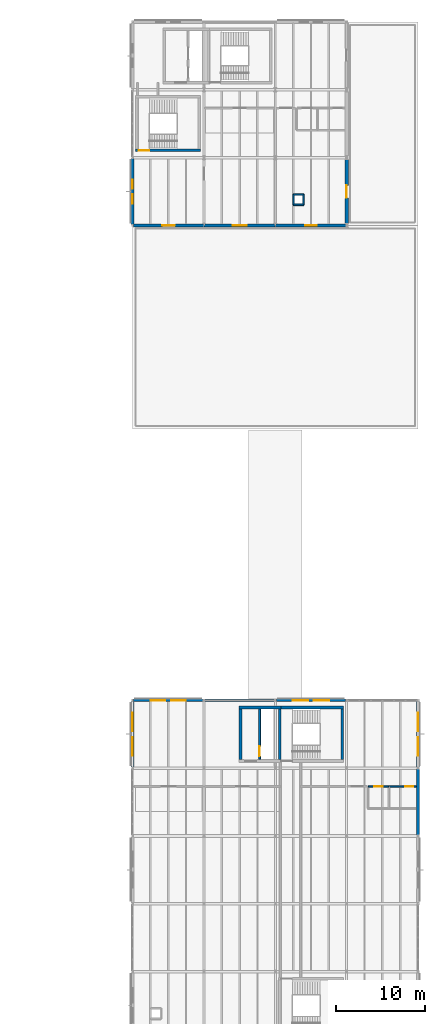
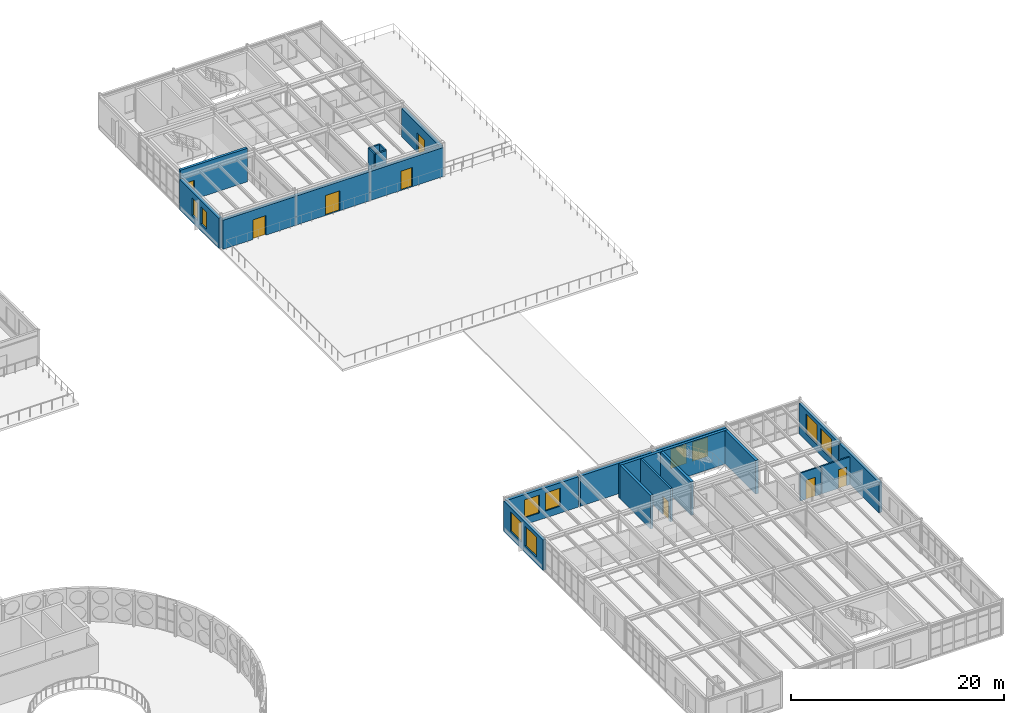
# One storey, part 95 of 114: 24 walls, 10 windows, 8 doors, 18 openings.
"""IFC4 building model written with IfcOpenShell, lengths in metres."""

import ifcopenshell
import ifcopenshell.guid

model = None  # the IFC model being written
_history = None  # IfcOwnerHistory: only IFC2X3 demands one
_inside = {}  # id of a spatial element -> (the spatial element, [elements in it])
_under = {}  # id of a project, library or spatial element -> (it, [spatial elements below it])
_declared = {}  # id of a project -> (the project, [libraries it declares])
_typed = {}  # id of a type object -> (the type object, [elements of that type])
_made_of = {}  # id of a material, layer set ... -> (it, [elements and type objects made of it])


def new_model(schema):
    """Start an empty IFC model of exactly this schema.

    Asked for "IFC4X3", IfcOpenShell would pick the latest addendum, in which some entities
    have other attributes; the version numbers below select the first issue.
    IFC2X3 requires an IfcOwnerHistory on every rooted entity: one is made here for all.
    """
    global model, _history
    if schema == "IFC4X3":
        model = ifcopenshell.file(schema_version=(4, 3, 0, 0))
    else:
        model = ifcopenshell.file(schema=schema)
    _inside.clear()
    _under.clear()
    _declared.clear()
    _typed.clear()
    _made_of.clear()
    _history = None
    if model.schema == "IFC2X3":
        org = make("IfcOrganization", Name="unknown")
        user = make(
            "IfcPersonAndOrganization",
            ThePerson=make("IfcPerson", FamilyName="unknown"),
            TheOrganization=org,
        )
        app = make(
            "IfcApplication",
            ApplicationDeveloper=org,
            Version="unknown",
            ApplicationFullName="unknown",
            ApplicationIdentifier="unknown",
        )
        _history = make(
            "IfcOwnerHistory",
            OwningUser=user,
            OwningApplication=app,
            ChangeAction="ADDED",
            CreationDate=0,
        )
    return model


def make(cls, **values):
    """One entity of the class cls with the attributes given. An attribute that is None is left unset."""
    return model.create_entity(
        cls, **{name: value for name, value in values.items() if value is not None}
    )


def rooted(cls, **values):
    """An entity with a GlobalId (a new one), such as an element, a storey or a relation."""
    return make(cls, GlobalId=ifcopenshell.guid.new(), OwnerHistory=_history, **values)


def si_unit(unit_type, name, prefix=None):
    """IfcSIUnit, for example si_unit("LENGTHUNIT", "METRE", prefix="MILLI")."""
    return make("IfcSIUnit", UnitType=unit_type, Prefix=prefix, Name=name)


def assignment(units):
    """IfcUnitAssignment: the units of a project."""
    return None if units is None else make("IfcUnitAssignment", Units=units)


def point(xyz):
    """IfcCartesianPoint."""
    return None if xyz is None else make("IfcCartesianPoint", Coordinates=xyz)


def direction(xyz):
    """IfcDirection."""
    return None if xyz is None else make("IfcDirection", DirectionRatios=xyz)


def frame(location, z_axis=None, x_axis=None):
    """IfcAxis2Placement3D, a coordinate frame: its origin and axes. An axis left out is left unset."""
    return make(
        "IfcAxis2Placement3D",
        Location=point(location),
        Axis=direction(z_axis),
        RefDirection=direction(x_axis),
    )


def frame_2d(location, x_axis=None):
    """IfcAxis2Placement2D, a coordinate frame in the plane: its origin and x axis."""
    return make(
        "IfcAxis2Placement2D", Location=point(location), RefDirection=direction(x_axis)
    )


def origin():
    """The frame at (0, 0, 0) with its axes left unset."""
    return frame((0.0, 0.0, 0.0))


def place(relative_to, where):
    """IfcLocalPlacement: puts the frame where relative to a parent placement (None: the world)."""
    return make(
        "IfcLocalPlacement", PlacementRelTo=relative_to, RelativePlacement=where
    )


def context(
    kind, dimensions, precision=None, world=None, true_north=None, identifier=None
):
    """IfcGeometricRepresentationContext, for example the 3D "Model" context."""
    return make(
        "IfcGeometricRepresentationContext",
        ContextIdentifier=identifier,
        ContextType=kind,
        CoordinateSpaceDimension=dimensions,
        Precision=precision,
        WorldCoordinateSystem=world,
        TrueNorth=true_north,
    )


def subcontext(parent, identifier, kind, view, scale=None):
    """IfcGeometricRepresentationSubContext, for example "Body" below "Model"."""
    return make(
        "IfcGeometricRepresentationSubContext",
        ContextIdentifier=identifier,
        ContextType=kind,
        ParentContext=parent,
        TargetScale=scale,
        TargetView=view,
    )


def project(units=None, contexts=None):
    """IfcProject with its units and contexts."""
    return rooted(
        "IfcProject",
        Name="project",
        RepresentationContexts=contexts,
        UnitsInContext=assignment(units),
    )


def spatial(cls, under=None, at=None, **own):
    """A site, building, storey or space (cls), placed at a placement, below another one or the project."""
    s = rooted(cls, ObjectPlacement=at, **own)
    if under is not None:
        _under.setdefault(under.id(), (under, []))[1].append(s)
    return s


def profile(cls, at=None, kind="AREA", **sizes):
    """A parametric profile (cls). Its sizes go by their IFC names, for example OverallWidth=200.0."""
    return make(cls, ProfileType=kind, Position=at, **sizes)


def rectangle(**sizes):
    """IfcRectangleProfileDef."""
    return profile("IfcRectangleProfileDef", **sizes)


def extrude(swept, where, along, depth):
    """IfcExtrudedAreaSolid: the profile swept, set in the frame where, extruded along a direction by depth."""
    return make(
        "IfcExtrudedAreaSolid",
        SweptArea=swept,
        Position=where,
        ExtrudedDirection=direction(along),
        Depth=depth,
    )


def shape(context_of_items, identifier, shape_type, items):
    """IfcShapeRepresentation: the items that make up one representation, for example the "Body"."""
    return make(
        "IfcShapeRepresentation",
        ContextOfItems=context_of_items,
        RepresentationIdentifier=identifier,
        RepresentationType=shape_type,
        Items=items,
    )


def material(Name=None, Category=None):
    """IfcMaterial."""
    return make("IfcMaterial", Name=Name, Category=Category)


def layer(
    of_material, thickness, ventilated=None, Name=None, Category=None, Priority=None
):
    """IfcMaterialLayer: one layer of a wall or slab, of a material (None: an air gap)."""
    return make(
        "IfcMaterialLayer",
        Material=of_material,
        LayerThickness=thickness,
        IsVentilated=ventilated,
        Name=Name,
        Category=Category,
        Priority=Priority,
    )


def layer_set(layers, Name=None):
    """IfcMaterialLayerSet."""
    return make("IfcMaterialLayerSet", MaterialLayers=layers, LayerSetName=Name)


def made_of(thing, what):
    """Note that an element or type object is made of a material, layer set ...; save() writes the relation."""
    if what is not None:
        _made_of.setdefault(what.id(), (what, []))[1].append(thing)
    return thing


def type_object(cls, material=None, **own):
    """A type object (cls), such as IfcWallType, which elements share."""
    return made_of(rooted(cls, **own), material)


def element(
    cls,
    number,
    at=None,
    inside=None,
    cuts=None,
    type_object=None,
    material=None,
    context=None,
    identifier="Body",
    shape_type=None,
    held_by="IfcProductDefinitionShape",
    body=None,
    shapes=None,
    **own,
):
    """One element of the class cls, such as IfcWall. Its Tag is "e" and its number.

    at: its placement. inside: the storey or other place that contains it. cuts: it is an
    opening in that element (IfcRelVoidsElement). A single representation is given by context,
    identifier, shape_type and body (its items); several are given by shapes. held_by: the class
    of the entity that holds the representations. save() writes the other relations.
    """
    e = rooted(cls, Tag="e%d" % number, ObjectPlacement=at, **own)
    if body is not None:
        shapes = [shape(context, identifier, shape_type, body)]
    if shapes is not None:
        e.Representation = make(held_by, Representations=shapes)
    if inside is not None:
        _inside.setdefault(inside.id(), (inside, []))[1].append(e)
    if cuts is not None:
        rooted(
            "IfcRelVoidsElement", RelatingBuildingElement=cuts, RelatedOpeningElement=e
        )
    if type_object is not None:
        _typed.setdefault(type_object.id(), (type_object, []))[1].append(e)
    return made_of(e, material)


def fill(opening, filler):
    """IfcRelFillsElement: the door or window that sits in an opening."""
    return rooted(
        "IfcRelFillsElement",
        RelatingOpeningElement=opening,
        RelatedBuildingElement=filler,
    )


def aggregate(whole, parts):
    """IfcRelAggregates: a whole, such as a stair, and the parts it consists of."""
    return rooted("IfcRelAggregates", RelatingObject=whole, RelatedObjects=parts)


def save(model, path):
    """Write the relations noted so far, then the file.

    IfcRelAggregates (storeys below a building ...), IfcRelContainedInSpatialStructure (elements
    in a storey), IfcRelDefinesByType, IfcRelAssociatesMaterial and IfcRelDeclares: one each for
    every whole, place, type object, material and project.
    """
    for whole, parts in _under.values():
        aggregate(whole, parts)
    for where, things in _inside.values():
        rooted(
            "IfcRelContainedInSpatialStructure",
            RelatedElements=things,
            RelatingStructure=where,
        )
    for kind, things in _typed.values():
        rooted("IfcRelDefinesByType", RelatedObjects=things, RelatingType=kind)
    for what, things in _made_of.values():
        rooted("IfcRelAssociatesMaterial", RelatedObjects=things, RelatingMaterial=what)
    for by, libraries in _declared.values():
        rooted("IfcRelDeclares", RelatingContext=by, RelatedDefinitions=libraries)
    model.write(path)


model = new_model("IFC4")

# Units and contexts
model_context = context("Model", 3, precision=1e-05, world=origin(), true_north=direction((0.0, 1.0)))
body_context = subcontext(model_context, "Body", "Model", "MODEL_VIEW")
ifc_project = project(units=[si_unit("LENGTHUNIT", "METRE"), si_unit("AREAUNIT", "SQUARE_METRE"), si_unit("VOLUMEUNIT", "CUBIC_METRE"), si_unit("PLANEANGLEUNIT", "RADIAN"), si_unit("MASSUNIT", "GRAM", prefix="KILO")], contexts=[model_context])

# Site, building, storey
site_placement = place(None, origin())
site = spatial("IfcSite", under=ifc_project, at=site_placement, CompositionType="ELEMENT")
building_placement = place(site_placement, origin())
building = spatial("IfcBuilding", under=site, at=building_placement, Name="Montecoro Central Library", CompositionType="ELEMENT")
storey_placement = place(building_placement, frame((0.0, 0.0, 13.260009765625)))
storey = spatial("IfcBuildingStorey", under=building, at=storey_placement, Name="L03", CompositionType="ELEMENT", Elevation=13.260009765625)

# Wall, opening, door
ifc_material_1 = material(Name="Roman travertine stone clad concrete C35/45", Category="masonry")
ifc_layer_1 = layer(ifc_material_1, 0.364990234375)
ifc_layer_set_1 = layer_set([ifc_layer_1], Name="Roman travertine stone clad concrete C35/45")
wall_type_1 = type_object("IfcWallType", Name="EW-STK-365", PredefinedType="SOLIDWALL", material=ifc_layer_set_1)
wall_1_placement = place(storey_placement, frame((141.113037109375, 96.199951171875, 0.0), z_axis=(0.0, 0.0, 1.0), x_axis=(1.0, 0.0, 0.0)))
wall_1 = element("IfcWall", 1, at=wall_1_placement, inside=storey, type_object=wall_type_1, Name="V5-L03-EW-S0", PredefinedType="SOLIDWALL", context=body_context, shape_type="SweptSolid", body=[
    extrude(rectangle(XDim=7.880859375, YDim=0.364990234375, at=frame_2d((3.9404296875, 0.0))), origin(), (0.0, 0.0, 1.0), 3.330078125),
])
opening_1_placement = place(wall_1_placement, frame((3.239990234375, 0.0, 0.0)))
opening_1 = element("IfcOpeningElement", 2, at=opening_1_placement, cuts=wall_1, Name="Opening ED-07", PredefinedType="OPENING", context=body_context, shape_type="SweptSolid", body=[
    extrude(rectangle(XDim=1.39990234375, YDim=2.25, at=frame_2d((0.699951171875, 1.125))), frame((0.0, 0.1923828125, 0.0), z_axis=(0.0, -1.0, 0.0), x_axis=(1.0, 0.0, 0.0)), (0.0, 0.0, 1.0), 0.385009765625),
])
ifc_material_2 = material(Name="Thermally broken architectural bronze and safety glass", Category="glass")
door_type_1 = type_object("IfcDoorType", Name="ED-TER-140", OperationType="NOTDEFINED", PredefinedType="DOOR", material=ifc_material_2)
door_1_placement = place(opening_1_placement, origin())
door_1 = element("IfcDoor", 3, at=door_1_placement, inside=storey, type_object=door_type_1, Name="V5-L03-TD-S0", OperationType="SINGLE_SWING_RIGHT", OverallHeight=2.25, OverallWidth=1.39990234375, PredefinedType="DOOR", context=body_context, shape_type="SweptSolid", body=[
    extrude(rectangle(XDim=1.39990234375, YDim=2.25, at=frame_2d((0.699951171875, 1.125))), frame((0.0, 0.02490234375, 0.0), z_axis=(0.0, -1.0, 0.0), x_axis=(1.0, 0.0, 0.0)), (0.0, 0.0, 1.0), 0.050048828125),
])
fill(opening_1, door_1)

wall_2_placement = place(storey_placement, frame((149.006103515625, 96.199951171875, 0.0), z_axis=(0.0, 0.0, 1.0), x_axis=(1.0, 0.0, 0.0)))
wall_2 = element("IfcWall", 4, at=wall_2_placement, inside=storey, type_object=wall_type_1, Name="V5-L03-EW-S1", PredefinedType="SOLIDWALL", context=body_context, shape_type="SweptSolid", body=[
    extrude(rectangle(XDim=7.98779296875, YDim=0.364990234375, at=frame_2d((3.993896484375, 0.0))), origin(), (0.0, 0.0, 1.0), 3.330078125),
])
opening_2_placement = place(wall_2_placement, frame((3.218994140625, 0.0, 0.0)))
opening_2 = element("IfcOpeningElement", 5, at=opening_2_placement, cuts=wall_2, Name="Opening ED-08", PredefinedType="OPENING", context=body_context, shape_type="SweptSolid", body=[
    extrude(rectangle(XDim=1.550048828125, YDim=2.280029296875, at=frame_2d((0.77490234375, 1.14013671875))), frame((0.0, 0.1923828125, 0.0), z_axis=(0.0, -1.0, 0.0), x_axis=(1.0, 0.0, 0.0)), (0.0, 0.0, 1.0), 0.385009765625),
])
door_type_2 = type_object("IfcDoorType", Name="ED-TER-155", OperationType="NOTDEFINED", PredefinedType="DOOR", material=ifc_material_2)
door_2_placement = place(opening_2_placement, origin())
door_2 = element("IfcDoor", 6, at=door_2_placement, inside=storey, type_object=door_type_2, Name="V5-L03-TD-S1", OperationType="SINGLE_SWING_LEFT", OverallHeight=2.280029296875, OverallWidth=1.550048828125, PredefinedType="DOOR", context=body_context, shape_type="SweptSolid", body=[
    extrude(rectangle(XDim=1.550048828125, YDim=2.280029296875, at=frame_2d((0.77490234375, 1.14013671875))), frame((0.0, 0.02490234375, 0.0), z_axis=(0.0, -1.0, 0.0), x_axis=(1.0, 0.0, 0.0)), (0.0, 0.0, 1.0), 0.050048828125),
])
fill(opening_2, door_2)

wall_3_placement = place(storey_placement, frame((157.006103515625, 96.199951171875, 0.0), z_axis=(0.0, 0.0, 1.0), x_axis=(1.0, 0.0, 0.0)))
wall_3 = element("IfcWall", 7, at=wall_3_placement, inside=storey, type_object=wall_type_1, Name="V5-L03-EW-S2", PredefinedType="SOLIDWALL", context=body_context, shape_type="SweptSolid", body=[
    extrude(rectangle(XDim=7.98779296875, YDim=0.364990234375, at=frame_2d((3.993896484375, 0.0))), origin(), (0.0, 0.0, 1.0), 3.330078125),
])
opening_3_placement = place(wall_3_placement, frame((3.368896484375, 0.0, 0.0)))
opening_3 = element("IfcOpeningElement", 8, at=opening_3_placement, cuts=wall_3, Name="Opening ED-09", PredefinedType="OPENING", context=body_context, shape_type="SweptSolid", body=[
    extrude(rectangle(XDim=1.25, YDim=2.199951171875, at=frame_2d((0.625, 1.10009765625))), frame((0.0, 0.1923828125, 0.0), z_axis=(0.0, -1.0, 0.0), x_axis=(1.0, 0.0, 0.0)), (0.0, 0.0, 1.0), 0.385009765625),
])
door_type_3 = type_object("IfcDoorType", Name="ED-TER-125", OperationType="NOTDEFINED", PredefinedType="DOOR", material=ifc_material_2)
door_3_placement = place(opening_3_placement, origin())
door_3 = element("IfcDoor", 9, at=door_3_placement, inside=storey, type_object=door_type_3, Name="V5-L03-TD-S2", OperationType="SINGLE_SWING_RIGHT", OverallHeight=2.199951171875, OverallWidth=1.25, PredefinedType="DOOR", context=body_context, shape_type="SweptSolid", body=[
    extrude(rectangle(XDim=1.25, YDim=2.199951171875, at=frame_2d((0.625, 1.10009765625))), frame((0.0, 0.02490234375, 0.0), z_axis=(0.0, -1.0, 0.0), x_axis=(1.0, 0.0, 0.0)), (0.0, 0.0, 1.0), 0.050048828125),
])
fill(opening_3, door_3)

wall_4_placement = place(storey_placement, frame((165.0, 96.423095703125, 0.0), z_axis=(0.0, 0.0, 1.0), x_axis=(0.0, 1.0, 0.0)))
wall_4 = element("IfcWall", 10, at=wall_4_placement, inside=storey, type_object=wall_type_1, Name="V5-L03-EW-E0", PredefinedType="SOLIDWALL", context=body_context, shape_type="SweptSolid", body=[
    extrude(rectangle(XDim=7.15380859375, YDim=0.364990234375, at=frame_2d((3.576904296875, 0.0))), origin(), (0.0, 0.0, 1.0), 3.27001953125),
])
opening_4_placement = place(wall_4_placement, frame((2.876953125, 0.0, 0.0)))
opening_4 = element("IfcOpeningElement", 11, at=opening_4_placement, cuts=wall_4, Name="Opening ED-07", PredefinedType="OPENING", context=body_context, shape_type="SweptSolid", body=[
    extrude(rectangle(XDim=1.39990234375, YDim=2.25, at=frame_2d((0.699951171875, 1.125))), frame((0.0, 0.1923828125, 0.0), z_axis=(0.0, -1.0, 0.0), x_axis=(1.0, 0.0, 0.0)), (0.0, 0.0, 1.0), 0.385009765625),
])
door_4_placement = place(opening_4_placement, origin())
door_4 = element("IfcDoor", 12, at=door_4_placement, inside=storey, type_object=door_type_1, Name="V5-L03-TD-E0", OperationType="SINGLE_SWING_LEFT", OverallHeight=2.25, OverallWidth=1.39990234375, PredefinedType="DOOR", context=body_context, shape_type="SweptSolid", body=[
    extrude(rectangle(XDim=1.39990234375, YDim=2.25, at=frame_2d((0.699951171875, 1.125))), frame((0.0, 0.02490234375, 0.0), z_axis=(0.0, -1.0, 0.0), x_axis=(1.0, 0.0, 0.0)), (0.0, 0.0, 1.0), 0.050048828125),
])
fill(opening_4, door_4)

# Wall, openings, windows
wall_5_placement = place(storey_placement, frame((141.0, 103.68701171875, 0.0), z_axis=(0.0, 0.0, 1.0), x_axis=(0.0, -1.0, 0.0)))
wall_5 = element("IfcWall", 13, at=wall_5_placement, inside=storey, type_object=wall_type_1, Name="V5-L03-EW-W0", PredefinedType="SOLIDWALL", context=body_context, shape_type="SweptSolid", body=[
    extrude(rectangle(XDim=7.3740234375, YDim=0.364990234375, at=frame_2d((3.68701171875, 0.0))), origin(), (0.0, 0.0, 1.0), 3.47998046875),
])
opening_5_placement = place(wall_5_placement, frame((2.342041015625, 0.0, 0.800048828125)))
opening_5 = element("IfcOpeningElement", 14, at=opening_5_placement, cuts=wall_5, Name="Opening WN-30", PredefinedType="OPENING", context=body_context, shape_type="SweptSolid", body=[
    extrude(rectangle(XDim=1.02001953125, YDim=1.97998046875, at=frame_2d((0.510009765625, 0.989990234375))), frame((0.0, 0.1923828125, 0.0), z_axis=(0.0, -1.0, 0.0), x_axis=(1.0, 0.0, 0.0)), (0.0, 0.0, 1.0), 0.385009765625),
])
opening_6_placement = place(wall_5_placement, frame((4.011962890625, 0.0, 0.800048828125)))
opening_6 = element("IfcOpeningElement", 15, at=opening_6_placement, cuts=wall_5, Name="Opening WN-30", PredefinedType="OPENING", context=body_context, shape_type="SweptSolid", body=[
    extrude(rectangle(XDim=1.02001953125, YDim=1.97998046875, at=frame_2d((0.510009765625, 0.989990234375))), frame((0.0, 0.1923828125, 0.0), z_axis=(0.0, -1.0, 0.0), x_axis=(1.0, 0.0, 0.0)), (0.0, 0.0, 1.0), 0.385009765625),
])
ifc_material_3 = material(Name="UV-filtered triple glazing", Category="glass")
window_type_1 = type_object("IfcWindowType", Name="WN-STK-102", PartitioningType="SINGLE_PANEL", PredefinedType="WINDOW", material=ifc_material_3)
window_1_placement = place(opening_5_placement, origin())
window_1 = element("IfcWindow", 16, at=window_1_placement, inside=storey, type_object=window_type_1, Name="V5-L03-WN-W0-1", OverallHeight=1.97998046875, OverallWidth=1.02001953125, PartitioningType="SINGLE_PANEL", PredefinedType="WINDOW", context=body_context, shape_type="SweptSolid", body=[
    extrude(rectangle(XDim=1.02001953125, YDim=1.97998046875, at=frame_2d((0.510009765625, 0.989990234375))), frame((0.0, 0.030029296875, 0.0), z_axis=(0.0, -1.0, 0.0), x_axis=(1.0, 0.0, 0.0)), (0.0, 0.0, 1.0), 0.06005859375),
])
fill(opening_5, window_1)
window_2_placement = place(opening_6_placement, origin())
window_2 = element("IfcWindow", 17, at=window_2_placement, inside=storey, type_object=window_type_1, Name="V5-L03-WN-W0-2", OverallHeight=1.97998046875, OverallWidth=1.02001953125, PartitioningType="SINGLE_PANEL", PredefinedType="WINDOW", context=body_context, shape_type="SweptSolid", body=[
    extrude(rectangle(XDim=1.02001953125, YDim=1.97998046875, at=frame_2d((0.510009765625, 0.989990234375))), frame((0.0, 0.030029296875, 0.0), z_axis=(0.0, -1.0, 0.0), x_axis=(1.0, 0.0, 0.0)), (0.0, 0.0, 1.0), 0.06005859375),
])
fill(opening_6, window_2)

# Wall
ifc_layer_2 = layer(ifc_material_1, 0.324951171875)
ifc_layer_set_2 = layer_set([ifc_layer_2], Name="Roman travertine stone clad concrete C35/45")
wall_type_2 = type_object("IfcWallType", Name="EW-TRV-325", PredefinedType="SOLIDWALL", material=ifc_layer_set_2)
wall_6_placement = place(storey_placement, frame((173.0, 27.9130859375, 0.0), z_axis=(0.0, 0.0, 1.0), x_axis=(0.0, 1.0, 0.0)))
element("IfcWall", 18, at=wall_6_placement, inside=storey, type_object=wall_type_2, Name="V6-L03-EW-E3", PredefinedType="SOLIDWALL", context=body_context, shape_type="SweptSolid", body=[
    extrude(rectangle(XDim=7.3740234375, YDim=0.324951171875, at=frame_2d((3.68701171875, 0.0))), origin(), (0.0, 0.0, 1.0), 3.47998046875),
])

# Wall, openings, windows
wall_7_placement = place(storey_placement, frame((173.0, 35.512939453125, 0.0), z_axis=(0.0, 0.0, 1.0), x_axis=(0.0, 1.0, 0.0)))
wall_7 = element("IfcWall", 19, at=wall_7_placement, inside=storey, type_object=wall_type_2, Name="V6-L03-EW-E4", PredefinedType="SOLIDWALL", context=body_context, shape_type="SweptSolid", body=[
    extrude(rectangle(XDim=7.3740234375, YDim=0.324951171875, at=frame_2d((3.68701171875, 0.0))), origin(), (0.0, 0.0, 1.0), 3.47998046875),
])
opening_7_placement = place(wall_7_placement, frame((1.261962890625, 0.0, 0.800048828125)))
opening_7 = element("IfcOpeningElement", 20, at=opening_7_placement, cuts=wall_7, Name="Opening WN-19", PredefinedType="OPENING", context=body_context, shape_type="SweptSolid", body=[
    extrude(rectangle(XDim=2.10009765625, YDim=2.25, at=frame_2d((1.050048828125, 1.125))), frame((0.0, 0.17236328125, 0.0), z_axis=(0.0, -1.0, 0.0), x_axis=(1.0, 0.0, 0.0)), (0.0, 0.0, 1.0), 0.344970703125),
])
opening_8_placement = place(wall_7_placement, frame((4.011962890625, 0.0, 0.800048828125)))
opening_8 = element("IfcOpeningElement", 21, at=opening_8_placement, cuts=wall_7, Name="Opening WN-19", PredefinedType="OPENING", context=body_context, shape_type="SweptSolid", body=[
    extrude(rectangle(XDim=2.10009765625, YDim=2.25, at=frame_2d((1.050048828125, 1.125))), frame((0.0, 0.17236328125, 0.0), z_axis=(0.0, -1.0, 0.0), x_axis=(1.0, 0.0, 0.0)), (0.0, 0.0, 1.0), 0.344970703125),
])
ifc_material_4 = material(Name="Laminated low-E double glazing", Category="glass")
window_type_2 = type_object("IfcWindowType", Name="WN-COM-210", PartitioningType="SINGLE_PANEL", PredefinedType="WINDOW", material=ifc_material_4)
window_3_placement = place(opening_7_placement, origin())
window_3 = element("IfcWindow", 22, at=window_3_placement, inside=storey, type_object=window_type_2, Name="V6-L03-WN-E4-1", OverallHeight=2.25, OverallWidth=2.10009765625, PartitioningType="SINGLE_PANEL", PredefinedType="WINDOW", context=body_context, shape_type="SweptSolid", body=[
    extrude(rectangle(XDim=2.10009765625, YDim=2.25, at=frame_2d((1.050048828125, 1.125))), frame((0.0, 0.030029296875, 0.0), z_axis=(0.0, -1.0, 0.0), x_axis=(1.0, 0.0, 0.0)), (0.0, 0.0, 1.0), 0.06005859375),
])
fill(opening_7, window_3)
window_4_placement = place(opening_8_placement, origin())
window_4 = element("IfcWindow", 23, at=window_4_placement, inside=storey, type_object=window_type_2, Name="V6-L03-WN-E4-2", OverallHeight=2.25, OverallWidth=2.10009765625, PartitioningType="SINGLE_PANEL", PredefinedType="WINDOW", context=body_context, shape_type="SweptSolid", body=[
    extrude(rectangle(XDim=2.10009765625, YDim=2.25, at=frame_2d((1.050048828125, 1.125))), frame((0.0, 0.030029296875, 0.0), z_axis=(0.0, -1.0, 0.0), x_axis=(1.0, 0.0, 0.0)), (0.0, 0.0, 1.0), 0.06005859375),
])
fill(opening_8, window_4)

wall_8_placement = place(storey_placement, frame((164.886962890625, 43.0, 0.0), z_axis=(0.0, 0.0, 1.0), x_axis=(-1.0, 0.0, 0.0)))
wall_8 = element("IfcWall", 24, at=wall_8_placement, inside=storey, type_object=wall_type_2, Name="V6-L03-EW-N2", PredefinedType="SOLIDWALL", context=body_context, shape_type="SweptSolid", body=[
    extrude(rectangle(XDim=7.77392578125, YDim=0.324951171875, at=frame_2d((3.886962890625, 0.0))), origin(), (0.0, 0.0, 1.0), 3.47998046875),
])
opening_9_placement = place(wall_8_placement, frame((1.862060546875, 0.0, 0.800048828125)))
opening_9 = element("IfcOpeningElement", 25, at=opening_9_placement, cuts=wall_8, Name="Opening WN-17", PredefinedType="OPENING", context=body_context, shape_type="SweptSolid", body=[
    extrude(rectangle(XDim=1.699951171875, YDim=2.199951171875, at=frame_2d((0.85009765625, 1.10009765625))), frame((0.0, 0.17236328125, 0.0), z_axis=(0.0, -1.0, 0.0), x_axis=(1.0, 0.0, 0.0)), (0.0, 0.0, 1.0), 0.344970703125),
])
opening_10_placement = place(wall_8_placement, frame((4.2119140625, 0.0, 0.800048828125)))
opening_10 = element("IfcOpeningElement", 26, at=opening_10_placement, cuts=wall_8, Name="Opening WN-17", PredefinedType="OPENING", context=body_context, shape_type="SweptSolid", body=[
    extrude(rectangle(XDim=1.699951171875, YDim=2.199951171875, at=frame_2d((0.85009765625, 1.10009765625))), frame((0.0, 0.17236328125, 0.0), z_axis=(0.0, -1.0, 0.0), x_axis=(1.0, 0.0, 0.0)), (0.0, 0.0, 1.0), 0.344970703125),
])
window_type_3 = type_object("IfcWindowType", Name="WN-COM-170", PartitioningType="SINGLE_PANEL", PredefinedType="WINDOW", material=ifc_material_4)
window_5_placement = place(opening_9_placement, origin())
window_5 = element("IfcWindow", 27, at=window_5_placement, inside=storey, type_object=window_type_3, Name="V6-L03-WN-N2-1", OverallHeight=2.199951171875, OverallWidth=1.699951171875, PartitioningType="SINGLE_PANEL", PredefinedType="WINDOW", context=body_context, shape_type="SweptSolid", body=[
    extrude(rectangle(XDim=1.699951171875, YDim=2.199951171875, at=frame_2d((0.85009765625, 1.10009765625))), frame((0.0, 0.030029296875, 0.0), z_axis=(0.0, -1.0, 0.0), x_axis=(1.0, 0.0, 0.0)), (0.0, 0.0, 1.0), 0.06005859375),
])
fill(opening_9, window_5)
window_6_placement = place(opening_10_placement, origin())
window_6 = element("IfcWindow", 28, at=window_6_placement, inside=storey, type_object=window_type_3, Name="V6-L03-WN-N2-2", OverallHeight=2.199951171875, OverallWidth=1.699951171875, PartitioningType="SINGLE_PANEL", PredefinedType="WINDOW", context=body_context, shape_type="SweptSolid", body=[
    extrude(rectangle(XDim=1.699951171875, YDim=2.199951171875, at=frame_2d((0.85009765625, 1.10009765625))), frame((0.0, 0.030029296875, 0.0), z_axis=(0.0, -1.0, 0.0), x_axis=(1.0, 0.0, 0.0)), (0.0, 0.0, 1.0), 0.06005859375),
])
fill(opening_10, window_6)

# Wall
wall_9_placement = place(storey_placement, frame((156.886962890625, 43.0, 0.0), z_axis=(0.0, 0.0, 1.0), x_axis=(-1.0, 0.0, 0.0)))
element("IfcWall", 29, at=wall_9_placement, inside=storey, type_object=wall_type_2, Name="V6-L03-EW-N1", PredefinedType="SOLIDWALL", context=body_context, shape_type="SweptSolid", body=[
    extrude(rectangle(XDim=7.77392578125, YDim=0.324951171875, at=frame_2d((3.886962890625, 0.0))), origin(), (0.0, 0.0, 1.0), 3.47998046875),
])

# Wall, openings, windows
wall_10_placement = place(storey_placement, frame((148.886962890625, 43.0, 0.0), z_axis=(0.0, 0.0, 1.0), x_axis=(-1.0, 0.0, 0.0)))
wall_10 = element("IfcWall", 30, at=wall_10_placement, inside=storey, type_object=wall_type_2, Name="V6-L03-EW-N0", PredefinedType="SOLIDWALL", context=body_context, shape_type="SweptSolid", body=[
    extrude(rectangle(XDim=7.77392578125, YDim=0.324951171875, at=frame_2d((3.886962890625, 0.0))), origin(), (0.0, 0.0, 1.0), 3.47998046875),
])
opening_11_placement = place(wall_10_placement, frame((1.94189453125, 0.0, 0.800048828125)))
opening_11 = element("IfcOpeningElement", 31, at=opening_11_placement, cuts=wall_10, Name="Opening WN-27", PredefinedType="OPENING", context=body_context, shape_type="SweptSolid", body=[
    extrude(rectangle(XDim=1.6201171875, YDim=2.06005859375, at=frame_2d((0.81005859375, 1.030029296875))), frame((0.0, 0.17236328125, 0.0), z_axis=(0.0, -1.0, 0.0), x_axis=(1.0, 0.0, 0.0)), (0.0, 0.0, 1.0), 0.344970703125),
])
opening_12_placement = place(wall_10_placement, frame((4.2119140625, 0.0, 0.800048828125)))
opening_12 = element("IfcOpeningElement", 32, at=opening_12_placement, cuts=wall_10, Name="Opening WN-27", PredefinedType="OPENING", context=body_context, shape_type="SweptSolid", body=[
    extrude(rectangle(XDim=1.6201171875, YDim=2.06005859375, at=frame_2d((0.81005859375, 1.030029296875))), frame((0.0, 0.17236328125, 0.0), z_axis=(0.0, -1.0, 0.0), x_axis=(1.0, 0.0, 0.0)), (0.0, 0.0, 1.0), 0.344970703125),
])
window_type_4 = type_object("IfcWindowType", Name="WN-COM-162", PartitioningType="SINGLE_PANEL", PredefinedType="WINDOW", material=ifc_material_4)
window_7_placement = place(opening_11_placement, origin())
window_7 = element("IfcWindow", 33, at=window_7_placement, inside=storey, type_object=window_type_4, Name="V6-L03-WN-N0-1", OverallHeight=2.06005859375, OverallWidth=1.6201171875, PartitioningType="SINGLE_PANEL", PredefinedType="WINDOW", context=body_context, shape_type="SweptSolid", body=[
    extrude(rectangle(XDim=1.6201171875, YDim=2.06005859375, at=frame_2d((0.81005859375, 1.030029296875))), frame((0.0, 0.030029296875, 0.0), z_axis=(0.0, -1.0, 0.0), x_axis=(1.0, 0.0, 0.0)), (0.0, 0.0, 1.0), 0.06005859375),
])
fill(opening_11, window_7)
window_8_placement = place(opening_12_placement, origin())
window_8 = element("IfcWindow", 34, at=window_8_placement, inside=storey, type_object=window_type_4, Name="V6-L03-WN-N0-2", OverallHeight=2.06005859375, OverallWidth=1.6201171875, PartitioningType="SINGLE_PANEL", PredefinedType="WINDOW", context=body_context, shape_type="SweptSolid", body=[
    extrude(rectangle(XDim=1.6201171875, YDim=2.06005859375, at=frame_2d((0.81005859375, 1.030029296875))), frame((0.0, 0.030029296875, 0.0), z_axis=(0.0, -1.0, 0.0), x_axis=(1.0, 0.0, 0.0)), (0.0, 0.0, 1.0), 0.06005859375),
])
fill(opening_12, window_8)

wall_11_placement = place(storey_placement, frame((141.0, 42.886962890625, 0.0), z_axis=(0.0, 0.0, 1.0), x_axis=(0.0, -1.0, 0.0)))
wall_11 = element("IfcWall", 35, at=wall_11_placement, inside=storey, type_object=wall_type_2, Name="V6-L03-EW-W4", PredefinedType="SOLIDWALL", context=body_context, shape_type="SweptSolid", body=[
    extrude(rectangle(XDim=7.3740234375, YDim=0.324951171875, at=frame_2d((3.68701171875, 0.0))), origin(), (0.0, 0.0, 1.0), 3.47998046875),
])
opening_13_placement = place(wall_11_placement, frame((1.261962890625, 0.0, 0.800048828125)))
opening_13 = element("IfcOpeningElement", 36, at=opening_13_placement, cuts=wall_11, Name="Opening WN-19", PredefinedType="OPENING", context=body_context, shape_type="SweptSolid", body=[
    extrude(rectangle(XDim=2.10009765625, YDim=2.25, at=frame_2d((1.050048828125, 1.125))), frame((0.0, 0.17236328125, 0.0), z_axis=(0.0, -1.0, 0.0), x_axis=(1.0, 0.0, 0.0)), (0.0, 0.0, 1.0), 0.344970703125),
])
opening_14_placement = place(wall_11_placement, frame((4.011962890625, 0.0, 0.800048828125)))
opening_14 = element("IfcOpeningElement", 37, at=opening_14_placement, cuts=wall_11, Name="Opening WN-19", PredefinedType="OPENING", context=body_context, shape_type="SweptSolid", body=[
    extrude(rectangle(XDim=2.10009765625, YDim=2.25, at=frame_2d((1.050048828125, 1.125))), frame((0.0, 0.17236328125, 0.0), z_axis=(0.0, -1.0, 0.0), x_axis=(1.0, 0.0, 0.0)), (0.0, 0.0, 1.0), 0.344970703125),
])
window_9_placement = place(opening_13_placement, origin())
window_9 = element("IfcWindow", 38, at=window_9_placement, inside=storey, type_object=window_type_2, Name="V6-L03-WN-W4-1", OverallHeight=2.25, OverallWidth=2.10009765625, PartitioningType="SINGLE_PANEL", PredefinedType="WINDOW", context=body_context, shape_type="SweptSolid", body=[
    extrude(rectangle(XDim=2.10009765625, YDim=2.25, at=frame_2d((1.050048828125, 1.125))), frame((0.0, 0.030029296875, 0.0), z_axis=(0.0, -1.0, 0.0), x_axis=(1.0, 0.0, 0.0)), (0.0, 0.0, 1.0), 0.06005859375),
])
fill(opening_13, window_9)
window_10_placement = place(opening_14_placement, origin())
window_10 = element("IfcWindow", 39, at=window_10_placement, inside=storey, type_object=window_type_2, Name="V6-L03-WN-W4-2", OverallHeight=2.25, OverallWidth=2.10009765625, PartitioningType="SINGLE_PANEL", PredefinedType="WINDOW", context=body_context, shape_type="SweptSolid", body=[
    extrude(rectangle(XDim=2.10009765625, YDim=2.25, at=frame_2d((1.050048828125, 1.125))), frame((0.0, 0.030029296875, 0.0), z_axis=(0.0, -1.0, 0.0), x_axis=(1.0, 0.0, 0.0)), (0.0, 0.0, 1.0), 0.06005859375),
])
fill(opening_14, window_10)

# Walls
ifc_material_5 = material(Name="Gypsum fire-rated partition")
ifc_layer_3 = layer(ifc_material_5, 0.179931640625)
ifc_layer_set_3 = layer_set([ifc_layer_3], Name="Gypsum fire-rated partition")
wall_type_3 = type_object("IfcWallType", Name="IW-COR-180", PredefinedType="PARTITIONING", material=ifc_layer_set_3)
for number, where, z_axis, x_axis, name in (
    (40, (159.02001953125, 98.52001953125, 0.0), (0.0, 0.0, 1.0), (1.0, 0.0, 0.0), "RSR-V5-L03-SL3-S"),
    (41, (160.179931640625, 99.679931640625, 0.0), (0.0, 0.0, 1.0), (-1.0, 0.0, 0.0), "RSR-V5-L03-SL3-N"),
    (42, (159.02001953125, 99.679931640625, 0.0), (0.0, 0.0, 1.0), (0.0, -1.0, 0.0), "RSR-V5-L03-SL3-W"),
    (43, (160.179931640625, 98.52001953125, 0.0), (0.0, 0.0, 1.0), (0.0, 1.0, 0.0), "RSR-V5-L03-SL3-E"),
):
    element("IfcWall", number, at=place(storey_placement, frame(where, z_axis=z_axis, x_axis=x_axis)), inside=storey, type_object=wall_type_3, Name=name, PredefinedType="PARTITIONING", context=body_context, shape_type="SweptSolid", body=[
        extrude(rectangle(XDim=1.159912109375, YDim=0.179931640625, at=frame_2d((0.580078125, 0.0))), origin(), (0.0, 0.0, 1.0), 3.179931640625),
    ])

# Wall, opening, door
ifc_material_6 = material(Name="Concrete C32/40", Category="concrete")
ifc_layer_4 = layer(ifc_material_6, 0.219970703125)
ifc_layer_set_4 = layer_set([ifc_layer_4], Name="Concrete C32/40")
wall_type_4 = type_object("IfcWallType", Name="IW-FFL-220", PredefinedType="SOLIDWALL", material=ifc_layer_set_4)
wall_12_placement = place(storey_placement, frame((155.25, 36.39990234375, 0.0), z_axis=(0.0, 0.0, 1.0), x_axis=(0.0, 1.0, 0.0)))
wall_12 = element("IfcWall", 44, at=wall_12_placement, inside=storey, type_object=wall_type_4, Name="C7-L03-WLSH", PredefinedType="SOLIDWALL", context=body_context, shape_type="SweptSolid", body=[
    extrude(rectangle(XDim=5.60009765625, YDim=0.219970703125, at=frame_2d((2.800048828125, 0.0))), origin(), (0.0, 0.0, 1.0), 3.844970703125),
])
opening_15_placement = place(wall_12_placement, frame((0.35009765625, 0.0, 0.0)))
opening_15 = element("IfcOpeningElement", 45, at=opening_15_placement, cuts=wall_12, Name="Opening LD-01", PredefinedType="OPENING", context=body_context, shape_type="SweptSolid", body=[
    extrude(rectangle(XDim=1.10009765625, YDim=2.14990234375, at=frame_2d((0.550048828125, 1.074951171875))), frame((0.0, 0.119873046875, 0.0), z_axis=(0.0, -1.0, 0.0), x_axis=(1.0, 0.0, 0.0)), (0.0, 0.0, 1.0), 0.239990234375),
])
ifc_material_7 = material(Name="Solid oak and fire-rated steel door", Category="steel")
door_type_4 = type_object("IfcDoorType", Name="LD-LIFT-110", OperationType="NOTDEFINED", PredefinedType="DOOR", material=ifc_material_7)
door_5_placement = place(opening_15_placement, origin())
door_5 = element("IfcDoor", 46, at=door_5_placement, inside=storey, type_object=door_type_4, Name="C7-L03-LD-PL-06", OperationType="SLIDING_TO_LEFT", OverallHeight=2.14990234375, OverallWidth=1.10009765625, PredefinedType="DOOR", context=body_context, shape_type="SweptSolid", body=[
    extrude(rectangle(XDim=1.10009765625, YDim=2.14990234375, at=frame_2d((0.550048828125, 1.074951171875))), frame((0.0, 0.02490234375, 0.0), z_axis=(0.0, -1.0, 0.0), x_axis=(1.0, 0.0, 0.0)), (0.0, 0.0, 1.0), 0.050048828125),
])
fill(opening_15, door_5)

ifc_material_8 = material(Name="Concrete C35/45", Category="concrete")
ifc_layer_5 = layer(ifc_material_8, 0.280029296875)
ifc_layer_set_5 = layer_set([ifc_layer_5], Name="Concrete C35/45")
wall_type_5 = type_object("IfcWallType", Name="IW-SHR-280", PredefinedType="SHEAR", material=ifc_layer_set_5)
wall_13_placement = place(storey_placement, frame((141.360107421875, 104.60009765625, 0.0), z_axis=(0.0, 0.0, 1.0), x_axis=(1.0, 0.0, 0.0)))
wall_13 = element("IfcWall", 47, at=wall_13_placement, inside=storey, type_object=wall_type_5, Name="C8-L03-WS", PredefinedType="SHEAR", context=body_context, shape_type="SweptSolid", body=[
    extrude(rectangle(XDim=7.27978515625, YDim=0.280029296875, at=frame_2d((3.639892578125, 0.0))), origin(), (0.0, 0.0, 1.0), 3.844970703125),
])
opening_16_placement = place(wall_13_placement, frame((0.320068359375, 0.0, 0.0)))
opening_16 = element("IfcOpeningElement", 48, at=opening_16_placement, cuts=wall_13, Name="Opening ID-02", PredefinedType="OPENING", context=body_context, shape_type="SweptSolid", body=[
    extrude(rectangle(XDim=1.179931640625, YDim=2.179931640625, at=frame_2d((0.58984375, 1.08984375))), frame((0.0, 0.14990234375, 0.0), z_axis=(0.0, -1.0, 0.0), x_axis=(1.0, 0.0, 0.0)), (0.0, 0.0, 1.0), 0.300048828125),
])
door_type_5 = type_object("IfcDoorType", Name="ID-STR-135", OperationType="NOTDEFINED", PredefinedType="DOOR", material=ifc_material_7)
door_6_placement = place(opening_16_placement, origin())
door_6 = element("IfcDoor", 49, at=door_6_placement, inside=storey, type_object=door_type_5, Name="C8-L03-DSTR", OperationType="SINGLE_SWING_LEFT", OverallHeight=2.179931640625, OverallWidth=1.179931640625, PredefinedType="DOOR", context=body_context, shape_type="SweptSolid", body=[
    extrude(rectangle(XDim=1.179931640625, YDim=2.179931640625, at=frame_2d((0.58984375, 1.08984375))), frame((0.0, 0.02490234375, 0.0), z_axis=(0.0, -1.0, 0.0), x_axis=(1.0, 0.0, 0.0)), (0.0, 0.0, 1.0), 0.050048828125),
])
fill(opening_16, door_6)

# Walls
ifc_layer_6 = layer(ifc_material_8, 0.300048828125)
ifc_layer_set_6 = layer_set([ifc_layer_6], Name="Concrete C35/45")
wall_type_6 = type_object("IfcWallType", Name="IW-SHR-300", PredefinedType="SHEAR", material=ifc_layer_set_6)
wall_14_placement = place(storey_placement, frame((157.64990234375, 42.199951171875, 0.0), z_axis=(0.0, 0.0, 1.0), x_axis=(-1.0, 0.0, 0.0)))
element("IfcWall", 50, at=wall_14_placement, inside=storey, type_object=wall_type_6, Name="C7-L03-LWN", PredefinedType="SHEAR", context=body_context, shape_type="SweptSolid", body=[
    extrude(rectangle(XDim=4.699951171875, YDim=0.300048828125, at=frame_2d((2.35009765625, 0.0))), origin(), (0.0, 0.0, 1.0), 3.844970703125),
])
wall_15_placement = place(storey_placement, frame((153.10009765625, 42.050048828125, 0.0), z_axis=(0.0, 0.0, 1.0), x_axis=(0.0, -1.0, 0.0)))
element("IfcWall", 51, at=wall_15_placement, inside=storey, type_object=wall_type_6, Name="C7-L03-LWW", PredefinedType="SHEAR", context=body_context, shape_type="SweptSolid", body=[
    extrude(rectangle(XDim=5.699951171875, YDim=0.300048828125, at=frame_2d((2.85009765625, 0.0))), origin(), (0.0, 0.0, 1.0), 3.844970703125),
])
wall_16_placement = place(storey_placement, frame((157.35009765625, 42.199951171875, 0.0), z_axis=(0.0, 0.0, 1.0), x_axis=(1.0, 0.0, 0.0)))
element("IfcWall", 52, at=wall_16_placement, inside=storey, type_object=wall_type_6, Name="C7-L03-WN", PredefinedType="SHEAR", context=body_context, shape_type="SweptSolid", body=[
    extrude(rectangle(XDim=7.2998046875, YDim=0.300048828125, at=frame_2d((3.64990234375, 0.0))), origin(), (0.0, 0.0, 1.0), 3.844970703125),
])
for number, where, z_axis, x_axis, name in (
    (53, (157.5, 36.35009765625, 0.0), (0.0, 0.0, 1.0), (0.0, 1.0, 0.0), "C7-L03-WW"),
    (54, (164.5, 36.35009765625, 0.0), (0.0, 0.0, 1.0), (0.0, 1.0, 0.0), "C7-L03-WE"),
):
    element("IfcWall", number, at=place(storey_placement, frame(where, z_axis=z_axis, x_axis=x_axis)), inside=storey, type_object=wall_type_6, Name=name, PredefinedType="SHEAR", context=body_context, shape_type="SweptSolid", body=[
        extrude(rectangle(XDim=5.699951171875, YDim=0.300048828125, at=frame_2d((2.85009765625, 0.0))), origin(), (0.0, 0.0, 1.0), 3.844970703125),
    ])

# Wall, opening, door
ifc_material_9 = material(Name="Moisture-resistant ceramic-tiled partition")
ifc_layer_7 = layer(ifc_material_9, 0.14990234375)
ifc_layer_set_7 = layer_set([ifc_layer_7], Name="Moisture-resistant ceramic-tiled partition")
wall_type_7 = type_object("IfcWallType", Name="IW-WET-150", PredefinedType="PARTITIONING", material=ifc_layer_set_7)
wall_17_placement = place(storey_placement, frame((167.43994140625, 33.35009765625, 0.0), z_axis=(0.0, 0.0, 1.0), x_axis=(1.0, 0.0, 0.0)))
wall_17 = element("IfcWall", 55, at=wall_17_placement, inside=storey, type_object=wall_type_7, Name="WC-V6-L03-WFA", PredefinedType="PARTITIONING", context=body_context, shape_type="SweptSolid", body=[
    extrude(rectangle(XDim=2.25, YDim=0.14990234375, at=frame_2d((1.125, 0.0))), origin(), (0.0, 0.0, 1.0), 3.179931640625),
])
opening_17_placement = place(wall_17_placement, frame((0.625, 0.0, 0.0)))
opening_17 = element("IfcOpeningElement", 56, at=opening_17_placement, cuts=wall_17, Name="Opening ID-15", PredefinedType="OPENING", context=body_context, shape_type="SweptSolid", body=[
    extrude(rectangle(XDim=1.0, YDim=2.14990234375, at=frame_2d((0.5, 1.074951171875))), frame((0.0, 0.0849609375, 0.0), z_axis=(0.0, -1.0, 0.0), x_axis=(1.0, 0.0, 0.0)), (0.0, 0.0, 1.0), 0.169921875),
])
door_type_6 = type_object("IfcDoorType", Name="ID-AWC-100", OperationType="NOTDEFINED", PredefinedType="DOOR", material=ifc_material_7)
door_7_placement = place(opening_17_placement, origin())
door_7 = element("IfcDoor", 57, at=door_7_placement, inside=storey, type_object=door_type_6, Name="DR-SP-V6-L03-AWC", OperationType="SINGLE_SWING_RIGHT", OverallHeight=2.14990234375, OverallWidth=1.0, PredefinedType="DOOR", context=body_context, shape_type="SweptSolid", body=[
    extrude(rectangle(XDim=1.0, YDim=2.14990234375, at=frame_2d((0.5, 1.074951171875))), frame((0.0, 0.02490234375, 0.0), z_axis=(0.0, -1.0, 0.0), x_axis=(1.0, 0.0, 0.0)), (0.0, 0.0, 1.0), 0.050048828125),
])
fill(opening_17, door_7)

wall_18_placement = place(storey_placement, frame((169.77001953125, 33.35009765625, 0.0), z_axis=(0.0, 0.0, 1.0), x_axis=(1.0, 0.0, 0.0)))
wall_18 = element("IfcWall", 58, at=wall_18_placement, inside=storey, type_object=wall_type_7, Name="WC-V6-L03-WFP", PredefinedType="PARTITIONING", context=body_context, shape_type="SweptSolid", body=[
    extrude(rectangle(XDim=3.030029296875, YDim=0.14990234375, at=frame_2d((1.51513671875, 0.0))), origin(), (0.0, 0.0, 1.0), 3.179931640625),
])
opening_18_placement = place(wall_18_placement, frame((1.780029296875, 0.0, 0.0)))
opening_18 = element("IfcOpeningElement", 59, at=opening_18_placement, cuts=wall_18, Name="Opening ID-16", PredefinedType="OPENING", context=body_context, shape_type="SweptSolid", body=[
    extrude(rectangle(XDim=0.89990234375, YDim=2.14990234375, at=frame_2d((0.449951171875, 1.074951171875))), frame((0.0, 0.0849609375, 0.0), z_axis=(0.0, -1.0, 0.0), x_axis=(1.0, 0.0, 0.0)), (0.0, 0.0, 1.0), 0.169921875),
])
door_type_7 = type_object("IfcDoorType", Name="ID-WC-090", OperationType="NOTDEFINED", PredefinedType="DOOR", material=ifc_material_7)
door_8_placement = place(opening_18_placement, origin())
door_8 = element("IfcDoor", 60, at=door_8_placement, inside=storey, type_object=door_type_7, Name="DR-SP-V6-L03-PWC", OperationType="SINGLE_SWING_LEFT", OverallHeight=2.14990234375, OverallWidth=0.89990234375, PredefinedType="DOOR", context=body_context, shape_type="SweptSolid", body=[
    extrude(rectangle(XDim=0.89990234375, YDim=2.14990234375, at=frame_2d((0.449951171875, 1.074951171875))), frame((0.0, 0.02490234375, 0.0), z_axis=(0.0, -1.0, 0.0), x_axis=(1.0, 0.0, 0.0)), (0.0, 0.0, 1.0), 0.050048828125),
])
fill(opening_18, door_8)

save(model, "model.ifc")
